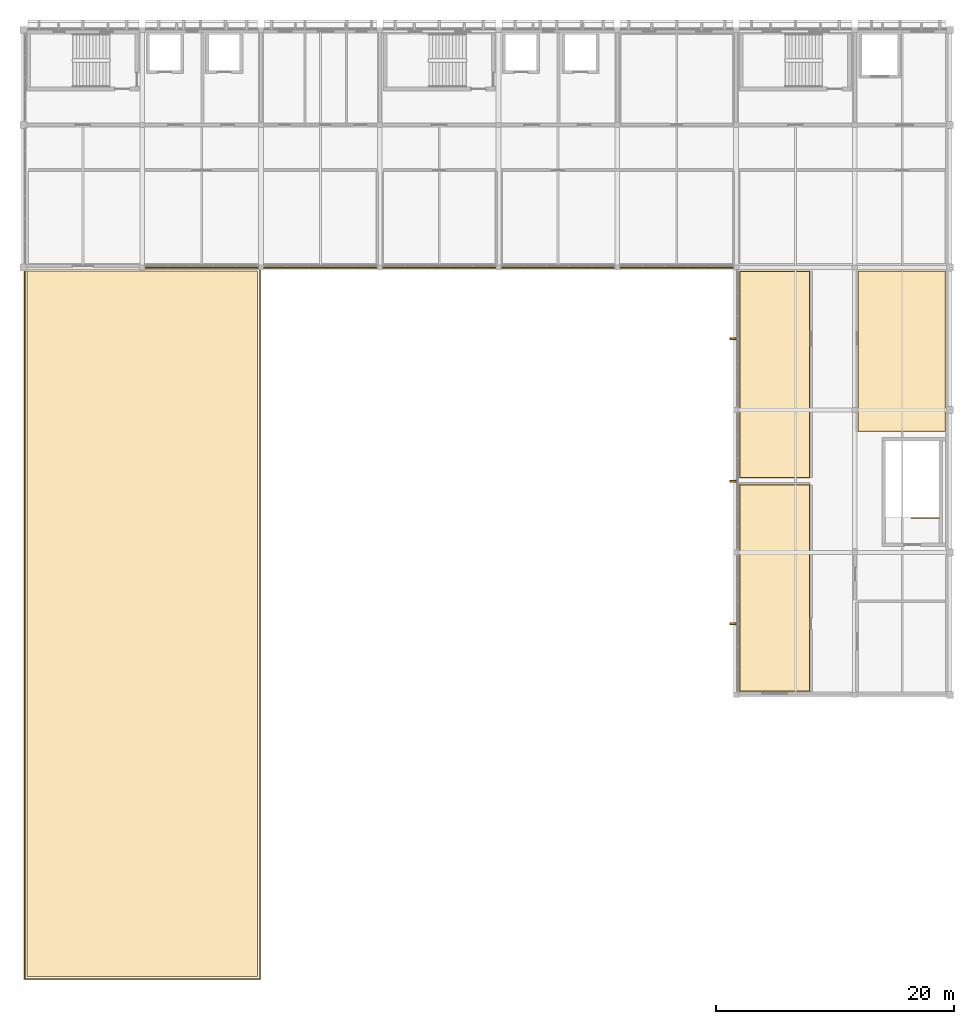
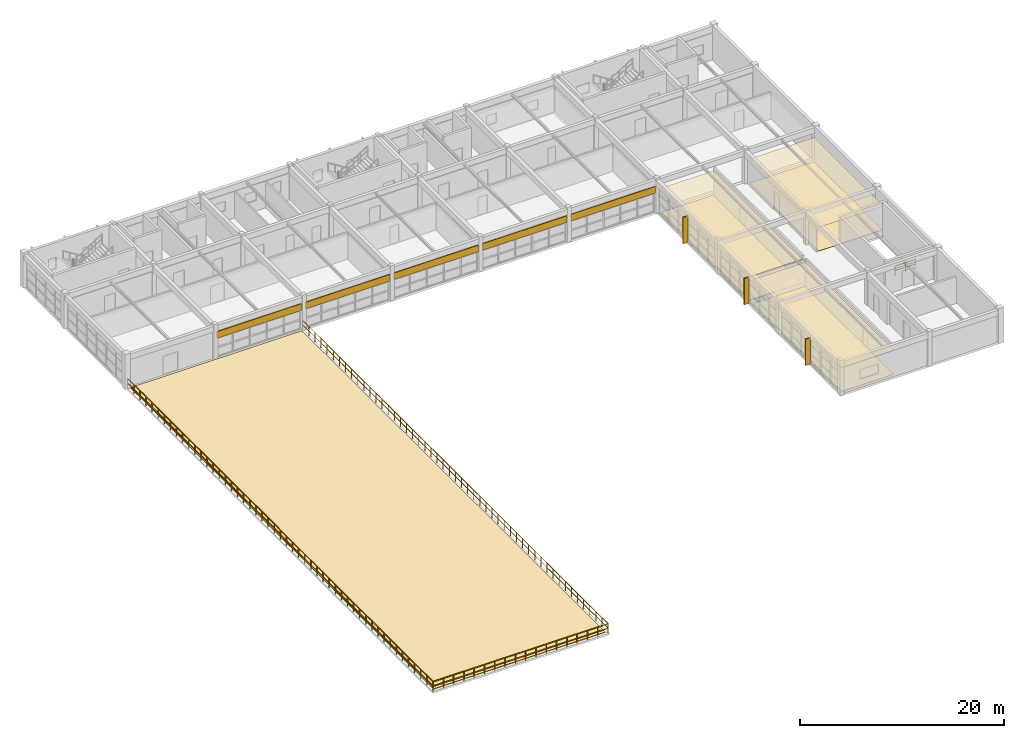
# One storey, part 18 of 21: 12 coverings, 4 railings, 3 shading devices.
"""IFC4 building model written with IfcOpenShell, lengths in metres."""

from ifc_helpers import new_model, si_unit, direction, frame, frame_2d, origin, origin_2d, place, context, subcontext, project, spatial, polyline, rectangle, circle, outline, extrude, material, layer, layer_set, type_object, element, save


model = new_model("IFC4")

# Units and contexts
model_context = context("Model", 3, precision=1e-05, world=origin(), true_north=direction((0.0, 1.0)))
body_context = subcontext(model_context, "Body", "Model", "MODEL_VIEW")
ifc_project = project(units=[si_unit("LENGTHUNIT", "METRE"), si_unit("AREAUNIT", "SQUARE_METRE"), si_unit("VOLUMEUNIT", "CUBIC_METRE"), si_unit("PLANEANGLEUNIT", "RADIAN"), si_unit("MASSUNIT", "GRAM", prefix="KILO")], contexts=[model_context])

# Site, building, storey
site_placement = place(None, origin())
site = spatial("IfcSite", under=ifc_project, at=site_placement, CompositionType="ELEMENT")
building_placement = place(site_placement, origin())
building = spatial("IfcBuilding", under=site, at=building_placement, Name="Kivolera Central Railway Station", CompositionType="ELEMENT")
storey_placement = place(building_placement, frame((0.0, 0.0, 22.800048828125)))
storey = spatial("IfcBuildingStorey", under=building, at=storey_placement, Name="L05", CompositionType="ELEMENT", Elevation=22.800048828125)

# Shading devices
ifc_material_1 = material(Name="Precast concrete C40/50", Category="concrete")
shading_device_type = type_object("IfcShadingDeviceType", Name="BS-FIN-CRT", PredefinedType="USERDEFINED", material=ifc_material_1)
for number, where, z_axis, x_axis, name in (
    (1, (177.735107421875, 84.0, 0.0), (0.0, 0.0, 1.0), (1.0, 0.0, 0.0), "L05 Courtyard East Solar Brise-Soleil Fin G"),
    (2, (177.735107421875, 96.0, 0.0), (0.0, 0.0, 1.0), (1.0, 0.0, 0.0), "L05 Courtyard East Solar Brise-Soleil Fin H"),
    (3, (177.735107421875, 108.0, 0.0), (0.0, 0.0, 1.0), (1.0, 0.0, 0.0), "L05 Courtyard East Solar Brise-Soleil Fin J"),
):
    element("IfcShadingDevice", number, at=place(storey_placement, frame(where, z_axis=z_axis, x_axis=x_axis)), inside=storey, type_object=shading_device_type, Name=name, ObjectType="FIN", PredefinedType="USERDEFINED", context=body_context, shape_type="SweptSolid", body=[
        extrude(rectangle(XDim=0.550048828125, YDim=0.139892578125, at=origin_2d()), origin(), (0.0, 0.0, 1.0), 3.14990234375),
    ])

# Coverings
ifc_material_2 = material(Name="Mineral fibre acoustic tile")
ifc_layer_1 = layer(ifc_material_2, 0.02001953125, Name="Mineral fibre acoustic tile")
ifc_layer_set_1 = layer_set([ifc_layer_1], Name="Mineral fibre acoustic tile")
covering_type_1 = type_object("IfcCoveringType", Name="COV-CEIL-20", PredefinedType="CEILING", material=ifc_layer_set_1)
covering_1_placement = place(storey_placement, frame((0.0, 0.0, 2.849853515625)))
element("IfcCovering", 4, at=covering_1_placement, inside=storey, type_object=covering_type_1, Name="L05 Staff Wellness Studio Acoustic Ceiling", PredefinedType="CEILING", context=body_context, shape_type="SweptSolid", body=[
    extrude(outline(polyline([(178.280029296875, 78.280029296875), (184.219970703125, 78.280029296875), (184.219970703125, 95.719970703125), (178.280029296875, 95.719970703125), (178.280029296875, 78.280029296875)])), origin(), (0.0, 0.0, 1.0), 0.02001953125),
])
ifc_material_3 = material(Name="Hardwood mvule timber", Category="wood")
ifc_layer_2 = layer(ifc_material_3, 0.02490234375, Name="Hardwood mvule timber")
ifc_layer_set_2 = layer_set([ifc_layer_2], Name="Hardwood mvule timber")
covering_type_2 = type_object("IfcCoveringType", Name="COV-CEIL-25", PredefinedType="CEILING", material=ifc_layer_set_2)
covering_2_placement = place(storey_placement, frame((0.0, 0.0, 2.849853515625)))
element("IfcCovering", 5, at=covering_2_placement, inside=storey, type_object=covering_type_2, Name="L05 Train Crew Locker and Changing Suite Acoustic Ceiling", PredefinedType="CEILING", context=body_context, shape_type="SweptSolid", body=[
    extrude(outline(polyline([(188.280029296875, 100.179931640625), (195.6201171875, 100.179931640625), (195.6201171875, 113.719970703125), (188.280029296875, 113.719970703125), (188.280029296875, 100.179931640625)])), origin(), (0.0, 0.0, 1.0), 0.025146484375),
])
ifc_layer_3 = layer(ifc_material_2, 0.030029296875, Name="Mineral fibre acoustic tile")
ifc_layer_set_3 = layer_set([ifc_layer_3], Name="Mineral fibre acoustic tile")
covering_type_3 = type_object("IfcCoveringType", Name="COV-CEIL-30", PredefinedType="CEILING", material=ifc_layer_set_3)
covering_3_placement = place(storey_placement, frame((0.0, 0.0, 2.849853515625)))
element("IfcCovering", 6, at=covering_3_placement, inside=storey, type_object=covering_type_3, Name="L05 Drivers' Quiet Rest Lounge Acoustic Ceiling", PredefinedType="CEILING", context=body_context, shape_type="SweptSolid", body=[
    extrude(outline(polyline([(178.280029296875, 96.280029296875), (184.219970703125, 96.280029296875), (184.219970703125, 113.719970703125), (178.280029296875, 113.719970703125), (178.280029296875, 96.280029296875)])), origin(), (0.0, 0.0, 1.0), 0.030029296875),
])
ifc_layer_4 = layer(ifc_material_1, 0.090087890625, Name="Precast concrete C40/50")
ifc_layer_set_4 = layer_set([ifc_layer_4], Name="Precast concrete C40/50")
covering_type_4 = type_object("IfcCoveringType", Name="COV-CLAUSTRA-90", PredefinedType="CLADDING", material=ifc_layer_set_4)
for number, where, z_axis, x_axis, name in (
    (7, (137.780029296875, 113.9599609375, 2.337890625), (0.0, 0.0, 1.0), (-1.0, 0.0, 0.0), "L05 Monsoon Court Precast Claustra Screen 128"),
    (8, (147.780029296875, 113.9599609375, 2.337890625), (0.0, 0.0, 1.0), (-1.0, 0.0, 0.0), "L05 Monsoon Court Precast Claustra Screen 138"),
    (9, (157.780029296875, 113.9599609375, 2.337890625), (0.0, 0.0, 1.0), (-1.0, 0.0, 0.0), "L05 Monsoon Court Precast Claustra Screen 148"),
    (10, (167.780029296875, 113.9599609375, 2.337890625), (0.0, 0.0, 1.0), (-1.0, 0.0, 0.0), "L05 Monsoon Court Precast Claustra Screen 158"),
    (11, (177.780029296875, 113.9599609375, 2.337890625), (0.0, 0.0, 1.0), (-1.0, 0.0, 0.0), "L05 Monsoon Court Precast Claustra Screen 168"),
):
    element("IfcCovering", number, at=place(storey_placement, frame(where, z_axis=z_axis, x_axis=x_axis)), inside=storey, type_object=covering_type_4, Name=name, PredefinedType="CLADDING", context=body_context, shape_type="SweptSolid", body=[
        extrude(rectangle(XDim=9.56005859375, YDim=0.090087890625, at=frame_2d((4.780029296875, 0.0))), origin(), (0.0, 0.0, 1.0), 0.800048828125),
    ])
ifc_material_4 = material(Name="Terracotta clay tile", Category="masonry")
ifc_layer_5 = layer(ifc_material_4, 0.02197265625, Name="Terracotta clay tile")
ifc_layer_set_5 = layer_set([ifc_layer_5], Name="Terracotta clay tile")
covering_type_5 = type_object("IfcCoveringType", Name="COV-FLR-22", PredefinedType="FLOORING", material=ifc_layer_set_5)
covering_4_placement = place(storey_placement, origin())
element("IfcCovering", 12, at=covering_4_placement, inside=storey, type_object=covering_type_5, Name="L05 Drivers' Quiet Rest Lounge Floor Finish", PredefinedType="FLOORING", context=body_context, shape_type="SweptSolid", body=[
    extrude(outline(polyline([(178.320068359375, 96.320068359375), (184.179931640625, 96.320068359375), (184.179931640625, 113.679931640625), (178.320068359375, 113.679931640625), (178.320068359375, 96.320068359375)])), origin(), (0.0, 0.0, 1.0), 0.02197265625),
])
covering_5_placement = place(storey_placement, origin())
element("IfcCovering", 13, at=covering_5_placement, inside=storey, type_object=covering_type_5, Name="L05 Staff Wellness Studio Floor Finish", PredefinedType="FLOORING", context=body_context, shape_type="SweptSolid", body=[
    extrude(outline(polyline([(178.320068359375, 78.320068359375), (184.179931640625, 78.320068359375), (184.179931640625, 95.679931640625), (178.320068359375, 95.679931640625), (178.320068359375, 78.320068359375)])), origin(), (0.0, 0.0, 1.0), 0.02197265625),
])
covering_6_placement = place(storey_placement, origin())
element("IfcCovering", 14, at=covering_6_placement, inside=storey, type_object=covering_type_5, Name="L05 Train Crew Locker and Changing Suite Floor Finish", PredefinedType="FLOORING", context=body_context, shape_type="SweptSolid", body=[
    extrude(outline(polyline([(188.320068359375, 100.219970703125), (195.580078125, 100.219970703125), (195.580078125, 113.679931640625), (188.320068359375, 113.679931640625), (188.320068359375, 100.219970703125)])), origin(), (0.0, 0.0, 1.0), 0.02197265625),
])
ifc_layer_6 = layer(ifc_material_4, 0.06494140625, Name="Terracotta clay tile")
ifc_layer_set_6 = layer_set([ifc_layer_6], Name="Terracotta clay tile")
covering_type_6 = type_object("IfcCoveringType", Name="COV-ROOF-TERR-65", PredefinedType="ROOFING", material=ifc_layer_set_6)
covering_7_placement = place(storey_placement, origin())
element("IfcCovering", 15, at=covering_7_placement, inside=storey, type_object=covering_type_6, Name="L05 Monsoon Roof Surfacing COV-L05-TER", PredefinedType="ROOFING", context=body_context, shape_type="SweptSolid", body=[
    extrude(outline(polyline([(118.300048828125, 54.300048828125), (137.699951171875, 54.300048828125), (137.699951171875, 113.699951171875), (118.300048828125, 113.699951171875), (118.300048828125, 54.300048828125)])), origin(), (0.0, 0.0, 1.0), 0.06494140625),
])

# Railings
ifc_material_5 = material(Name="Anodised aluminium", Category="aluminium")
ifc_layer_7 = layer(ifc_material_5, 0.048095703125, Name="Anodised aluminium")
ifc_layer_set_7 = layer_set([ifc_layer_7], Name="Anodised aluminium")
railing_type_1 = type_object("IfcRailingType", Name="RL-EXT-GUARD-1130", PredefinedType="GUARDRAIL", material=ifc_layer_set_7)
railing_1_placement = place(storey_placement, frame((118.10009765625, 54.10009765625, 0.0)))
element("IfcRailing", 16, at=railing_1_placement, inside=storey, type_object=railing_type_1, Name="L05 Protective Edge Guardrail TER-W-W", PredefinedType="GUARDRAIL", context=body_context, shape_type="SweptSolid", body=[
    extrude(circle(Radius=0.02392578125, at=origin_2d()), frame((0.0, 0.0, 1.10595703125), z_axis=(0.0, 1.0, 0.0), x_axis=(-1.0, 0.0, 0.0)), (0.0, 0.0, 1.0), 59.7998046875),
    extrude(circle(Radius=0.02392578125, at=origin_2d()), frame((0.0, 0.0, 0.56494140625), z_axis=(0.0, 1.0, 0.0), x_axis=(-1.0, 0.0, 0.0)), (0.0, 0.0, 1.0), 59.7998046875),
    extrude(circle(Radius=0.02099609375, at=origin_2d()), origin(), (0.0, 0.0, 1.0), 1.081787109375),
    extrude(circle(Radius=0.02099609375, at=origin_2d()), frame((0.0, 1.196044921875, 0.0)), (0.0, 0.0, 1.0), 1.081787109375),
    extrude(circle(Radius=0.02099609375, at=origin_2d()), frame((0.0, 2.39208984375, 0.0)), (0.0, 0.0, 1.0), 1.081787109375),
    extrude(circle(Radius=0.02099609375, at=origin_2d()), frame((0.0, 3.587890625, 0.0)), (0.0, 0.0, 1.0), 1.081787109375),
    extrude(circle(Radius=0.02099609375, at=origin_2d()), frame((0.0, 4.783935546875, 0.0)), (0.0, 0.0, 1.0), 1.081787109375),
    extrude(circle(Radius=0.02099609375, at=origin_2d()), frame((0.0, 5.97998046875, 0.0)), (0.0, 0.0, 1.0), 1.081787109375),
    extrude(circle(Radius=0.02099609375, at=origin_2d()), frame((0.0, 7.176025390625, 0.0)), (0.0, 0.0, 1.0), 1.081787109375),
    extrude(circle(Radius=0.02099609375, at=origin_2d()), frame((0.0, 8.3720703125, 0.0)), (0.0, 0.0, 1.0), 1.081787109375),
    extrude(circle(Radius=0.02099609375, at=origin_2d()), frame((0.0, 9.56787109375, 0.0)), (0.0, 0.0, 1.0), 1.081787109375),
    extrude(circle(Radius=0.02099609375, at=origin_2d()), frame((0.0, 10.763916015625, 0.0)), (0.0, 0.0, 1.0), 1.081787109375),
    extrude(circle(Radius=0.02099609375, at=origin_2d()), frame((0.0, 11.9599609375, 0.0)), (0.0, 0.0, 1.0), 1.081787109375),
    extrude(circle(Radius=0.02099609375, at=origin_2d()), frame((0.0, 13.156005859375, 0.0)), (0.0, 0.0, 1.0), 1.081787109375),
    extrude(circle(Radius=0.02099609375, at=origin_2d()), frame((0.0, 14.35205078125, 0.0)), (0.0, 0.0, 1.0), 1.081787109375),
    extrude(circle(Radius=0.02099609375, at=origin_2d()), frame((0.0, 15.5478515625, 0.0)), (0.0, 0.0, 1.0), 1.081787109375),
    extrude(circle(Radius=0.02099609375, at=origin_2d()), frame((0.0, 16.743896484375, 0.0)), (0.0, 0.0, 1.0), 1.081787109375),
    extrude(circle(Radius=0.02099609375, at=origin_2d()), frame((0.0, 17.93994140625, 0.0)), (0.0, 0.0, 1.0), 1.081787109375),
    extrude(circle(Radius=0.02099609375, at=origin_2d()), frame((0.0, 19.135986328125, 0.0)), (0.0, 0.0, 1.0), 1.081787109375),
    extrude(circle(Radius=0.02099609375, at=origin_2d()), frame((0.0, 20.33203125, 0.0)), (0.0, 0.0, 1.0), 1.081787109375),
    extrude(circle(Radius=0.02099609375, at=origin_2d()), frame((0.0, 21.52783203125, 0.0)), (0.0, 0.0, 1.0), 1.081787109375),
    extrude(circle(Radius=0.02099609375, at=origin_2d()), frame((0.0, 22.723876953125, 0.0)), (0.0, 0.0, 1.0), 1.081787109375),
    extrude(circle(Radius=0.02099609375, at=origin_2d()), frame((0.0, 23.919921875, 0.0)), (0.0, 0.0, 1.0), 1.081787109375),
    extrude(circle(Radius=0.02099609375, at=origin_2d()), frame((0.0, 25.115966796875, 0.0)), (0.0, 0.0, 1.0), 1.081787109375),
    extrude(circle(Radius=0.02099609375, at=origin_2d()), frame((0.0, 26.31201171875, 0.0)), (0.0, 0.0, 1.0), 1.081787109375),
    extrude(circle(Radius=0.02099609375, at=origin_2d()), frame((0.0, 27.5078125, 0.0)), (0.0, 0.0, 1.0), 1.081787109375),
    extrude(circle(Radius=0.02099609375, at=origin_2d()), frame((0.0, 28.703857421875, 0.0)), (0.0, 0.0, 1.0), 1.081787109375),
    extrude(circle(Radius=0.02099609375, at=origin_2d()), frame((0.0, 29.89990234375, 0.0)), (0.0, 0.0, 1.0), 1.081787109375),
    extrude(circle(Radius=0.02099609375, at=origin_2d()), frame((0.0, 31.095947265625, 0.0)), (0.0, 0.0, 1.0), 1.081787109375),
    extrude(circle(Radius=0.02099609375, at=origin_2d()), frame((0.0, 32.2919921875, 0.0)), (0.0, 0.0, 1.0), 1.081787109375),
    extrude(circle(Radius=0.02099609375, at=origin_2d()), frame((0.0, 33.48779296875, 0.0)), (0.0, 0.0, 1.0), 1.081787109375),
    extrude(circle(Radius=0.02099609375, at=origin_2d()), frame((0.0, 34.683837890625, 0.0)), (0.0, 0.0, 1.0), 1.081787109375),
    extrude(circle(Radius=0.02099609375, at=origin_2d()), frame((0.0, 35.8798828125, 0.0)), (0.0, 0.0, 1.0), 1.081787109375),
    extrude(circle(Radius=0.02099609375, at=origin_2d()), frame((0.0, 37.075927734375, 0.0)), (0.0, 0.0, 1.0), 1.081787109375),
    extrude(circle(Radius=0.02099609375, at=origin_2d()), frame((0.0, 38.27197265625, 0.0)), (0.0, 0.0, 1.0), 1.081787109375),
    extrude(circle(Radius=0.02099609375, at=origin_2d()), frame((0.0, 39.4677734375, 0.0)), (0.0, 0.0, 1.0), 1.081787109375),
    extrude(circle(Radius=0.02099609375, at=origin_2d()), frame((0.0, 40.663818359375, 0.0)), (0.0, 0.0, 1.0), 1.081787109375),
    extrude(circle(Radius=0.02099609375, at=origin_2d()), frame((0.0, 41.85986328125, 0.0)), (0.0, 0.0, 1.0), 1.081787109375),
    extrude(circle(Radius=0.02099609375, at=origin_2d()), frame((0.0, 43.055908203125, 0.0)), (0.0, 0.0, 1.0), 1.081787109375),
    extrude(circle(Radius=0.02099609375, at=origin_2d()), frame((0.0, 44.251953125, 0.0)), (0.0, 0.0, 1.0), 1.081787109375),
    extrude(circle(Radius=0.02099609375, at=origin_2d()), frame((0.0, 45.44775390625, 0.0)), (0.0, 0.0, 1.0), 1.081787109375),
    extrude(circle(Radius=0.02099609375, at=origin_2d()), frame((0.0, 46.643798828125, 0.0)), (0.0, 0.0, 1.0), 1.081787109375),
    extrude(circle(Radius=0.02099609375, at=origin_2d()), frame((0.0, 47.83984375, 0.0)), (0.0, 0.0, 1.0), 1.081787109375),
    extrude(circle(Radius=0.02099609375, at=origin_2d()), frame((0.0, 49.035888671875, 0.0)), (0.0, 0.0, 1.0), 1.081787109375),
    extrude(circle(Radius=0.02099609375, at=origin_2d()), frame((0.0, 50.23193359375, 0.0)), (0.0, 0.0, 1.0), 1.081787109375),
    extrude(circle(Radius=0.02099609375, at=origin_2d()), frame((0.0, 51.427734375, 0.0)), (0.0, 0.0, 1.0), 1.081787109375),
    extrude(circle(Radius=0.02099609375, at=origin_2d()), frame((0.0, 52.623779296875, 0.0)), (0.0, 0.0, 1.0), 1.081787109375),
    extrude(circle(Radius=0.02099609375, at=origin_2d()), frame((0.0, 53.81982421875, 0.0)), (0.0, 0.0, 1.0), 1.081787109375),
    extrude(circle(Radius=0.02099609375, at=origin_2d()), frame((0.0, 55.015869140625, 0.0)), (0.0, 0.0, 1.0), 1.081787109375),
    extrude(circle(Radius=0.02099609375, at=origin_2d()), frame((0.0, 56.2119140625, 0.0)), (0.0, 0.0, 1.0), 1.081787109375),
    extrude(circle(Radius=0.02099609375, at=origin_2d()), frame((0.0, 57.40771484375, 0.0)), (0.0, 0.0, 1.0), 1.081787109375),
    extrude(circle(Radius=0.02099609375, at=origin_2d()), frame((0.0, 58.603759765625, 0.0)), (0.0, 0.0, 1.0), 1.081787109375),
    extrude(circle(Radius=0.02099609375, at=origin_2d()), frame((0.0, 59.7998046875, 0.0)), (0.0, 0.0, 1.0), 1.081787109375),
])
railing_2_placement = place(storey_placement, frame((118.10009765625, 54.10009765625, 0.0)))
element("IfcRailing", 17, at=railing_2_placement, inside=storey, type_object=railing_type_1, Name="L05 Protective Edge Guardrail TER-W-S", PredefinedType="GUARDRAIL", context=body_context, shape_type="SweptSolid", body=[
    extrude(circle(Radius=0.02392578125, at=origin_2d()), frame((0.0, 0.0, 1.10595703125), z_axis=(1.0, 0.0, 0.0), x_axis=(0.0, 1.0, 0.0)), (0.0, 0.0, 1.0), 19.7998046875),
    extrude(circle(Radius=0.02392578125, at=origin_2d()), frame((0.0, 0.0, 0.56494140625), z_axis=(1.0, 0.0, 0.0), x_axis=(0.0, 1.0, 0.0)), (0.0, 0.0, 1.0), 19.7998046875),
    extrude(circle(Radius=0.02099609375, at=origin_2d()), origin(), (0.0, 0.0, 1.0), 1.081787109375),
    extrude(circle(Radius=0.02099609375, at=origin_2d()), frame((1.164794921875, 0.0, 0.0)), (0.0, 0.0, 1.0), 1.081787109375),
    extrude(circle(Radius=0.02099609375, at=origin_2d()), frame((2.329345703125, 0.0, 0.0)), (0.0, 0.0, 1.0), 1.081787109375),
    extrude(circle(Radius=0.02099609375, at=origin_2d()), frame((3.494140625, 0.0, 0.0)), (0.0, 0.0, 1.0), 1.081787109375),
    extrude(circle(Radius=0.02099609375, at=origin_2d()), frame((4.65869140625, 0.0, 0.0)), (0.0, 0.0, 1.0), 1.081787109375),
    extrude(circle(Radius=0.02099609375, at=origin_2d()), frame((5.823486328125, 0.0, 0.0)), (0.0, 0.0, 1.0), 1.081787109375),
    extrude(circle(Radius=0.02099609375, at=origin_2d()), frame((6.98828125, 0.0, 0.0)), (0.0, 0.0, 1.0), 1.081787109375),
    extrude(circle(Radius=0.02099609375, at=origin_2d()), frame((8.15283203125, 0.0, 0.0)), (0.0, 0.0, 1.0), 1.081787109375),
    extrude(circle(Radius=0.02099609375, at=origin_2d()), frame((9.317626953125, 0.0, 0.0)), (0.0, 0.0, 1.0), 1.081787109375),
    extrude(circle(Radius=0.02099609375, at=origin_2d()), frame((10.482177734375, 0.0, 0.0)), (0.0, 0.0, 1.0), 1.081787109375),
    extrude(circle(Radius=0.02099609375, at=origin_2d()), frame((11.64697265625, 0.0, 0.0)), (0.0, 0.0, 1.0), 1.081787109375),
    extrude(circle(Radius=0.02099609375, at=origin_2d()), frame((12.8115234375, 0.0, 0.0)), (0.0, 0.0, 1.0), 1.081787109375),
    extrude(circle(Radius=0.02099609375, at=origin_2d()), frame((13.976318359375, 0.0, 0.0)), (0.0, 0.0, 1.0), 1.081787109375),
    extrude(circle(Radius=0.02099609375, at=origin_2d()), frame((15.14111328125, 0.0, 0.0)), (0.0, 0.0, 1.0), 1.081787109375),
    extrude(circle(Radius=0.02099609375, at=origin_2d()), frame((16.3056640625, 0.0, 0.0)), (0.0, 0.0, 1.0), 1.081787109375),
    extrude(circle(Radius=0.02099609375, at=origin_2d()), frame((17.470458984375, 0.0, 0.0)), (0.0, 0.0, 1.0), 1.081787109375),
    extrude(circle(Radius=0.02099609375, at=origin_2d()), frame((18.635009765625, 0.0, 0.0)), (0.0, 0.0, 1.0), 1.081787109375),
    extrude(circle(Radius=0.02099609375, at=origin_2d()), frame((19.7998046875, 0.0, 0.0)), (0.0, 0.0, 1.0), 1.081787109375),
])
railing_3_placement = place(storey_placement, frame((137.89990234375, 54.10009765625, 0.0)))
element("IfcRailing", 18, at=railing_3_placement, inside=storey, type_object=railing_type_1, Name="L05 Protective Edge Guardrail TER-W-E", PredefinedType="GUARDRAIL", context=body_context, shape_type="SweptSolid", body=[
    extrude(circle(Radius=0.02392578125, at=origin_2d()), frame((0.0, 0.0, 1.10595703125), z_axis=(0.0, 1.0, 0.0), x_axis=(-1.0, 0.0, 0.0)), (0.0, 0.0, 1.0), 59.7998046875),
    extrude(circle(Radius=0.02392578125, at=origin_2d()), frame((0.0, 0.0, 0.56494140625), z_axis=(0.0, 1.0, 0.0), x_axis=(-1.0, 0.0, 0.0)), (0.0, 0.0, 1.0), 59.7998046875),
    extrude(circle(Radius=0.02099609375, at=origin_2d()), origin(), (0.0, 0.0, 1.0), 1.081787109375),
    extrude(circle(Radius=0.02099609375, at=origin_2d()), frame((0.0, 1.196044921875, 0.0)), (0.0, 0.0, 1.0), 1.081787109375),
    extrude(circle(Radius=0.02099609375, at=origin_2d()), frame((0.0, 2.39208984375, 0.0)), (0.0, 0.0, 1.0), 1.081787109375),
    extrude(circle(Radius=0.02099609375, at=origin_2d()), frame((0.0, 3.587890625, 0.0)), (0.0, 0.0, 1.0), 1.081787109375),
    extrude(circle(Radius=0.02099609375, at=origin_2d()), frame((0.0, 4.783935546875, 0.0)), (0.0, 0.0, 1.0), 1.081787109375),
    extrude(circle(Radius=0.02099609375, at=origin_2d()), frame((0.0, 5.97998046875, 0.0)), (0.0, 0.0, 1.0), 1.081787109375),
    extrude(circle(Radius=0.02099609375, at=origin_2d()), frame((0.0, 7.176025390625, 0.0)), (0.0, 0.0, 1.0), 1.081787109375),
    extrude(circle(Radius=0.02099609375, at=origin_2d()), frame((0.0, 8.3720703125, 0.0)), (0.0, 0.0, 1.0), 1.081787109375),
    extrude(circle(Radius=0.02099609375, at=origin_2d()), frame((0.0, 9.56787109375, 0.0)), (0.0, 0.0, 1.0), 1.081787109375),
    extrude(circle(Radius=0.02099609375, at=origin_2d()), frame((0.0, 10.763916015625, 0.0)), (0.0, 0.0, 1.0), 1.081787109375),
    extrude(circle(Radius=0.02099609375, at=origin_2d()), frame((0.0, 11.9599609375, 0.0)), (0.0, 0.0, 1.0), 1.081787109375),
    extrude(circle(Radius=0.02099609375, at=origin_2d()), frame((0.0, 13.156005859375, 0.0)), (0.0, 0.0, 1.0), 1.081787109375),
    extrude(circle(Radius=0.02099609375, at=origin_2d()), frame((0.0, 14.35205078125, 0.0)), (0.0, 0.0, 1.0), 1.081787109375),
    extrude(circle(Radius=0.02099609375, at=origin_2d()), frame((0.0, 15.5478515625, 0.0)), (0.0, 0.0, 1.0), 1.081787109375),
    extrude(circle(Radius=0.02099609375, at=origin_2d()), frame((0.0, 16.743896484375, 0.0)), (0.0, 0.0, 1.0), 1.081787109375),
    extrude(circle(Radius=0.02099609375, at=origin_2d()), frame((0.0, 17.93994140625, 0.0)), (0.0, 0.0, 1.0), 1.081787109375),
    extrude(circle(Radius=0.02099609375, at=origin_2d()), frame((0.0, 19.135986328125, 0.0)), (0.0, 0.0, 1.0), 1.081787109375),
    extrude(circle(Radius=0.02099609375, at=origin_2d()), frame((0.0, 20.33203125, 0.0)), (0.0, 0.0, 1.0), 1.081787109375),
    extrude(circle(Radius=0.02099609375, at=origin_2d()), frame((0.0, 21.52783203125, 0.0)), (0.0, 0.0, 1.0), 1.081787109375),
    extrude(circle(Radius=0.02099609375, at=origin_2d()), frame((0.0, 22.723876953125, 0.0)), (0.0, 0.0, 1.0), 1.081787109375),
    extrude(circle(Radius=0.02099609375, at=origin_2d()), frame((0.0, 23.919921875, 0.0)), (0.0, 0.0, 1.0), 1.081787109375),
    extrude(circle(Radius=0.02099609375, at=origin_2d()), frame((0.0, 25.115966796875, 0.0)), (0.0, 0.0, 1.0), 1.081787109375),
    extrude(circle(Radius=0.02099609375, at=origin_2d()), frame((0.0, 26.31201171875, 0.0)), (0.0, 0.0, 1.0), 1.081787109375),
    extrude(circle(Radius=0.02099609375, at=origin_2d()), frame((0.0, 27.5078125, 0.0)), (0.0, 0.0, 1.0), 1.081787109375),
    extrude(circle(Radius=0.02099609375, at=origin_2d()), frame((0.0, 28.703857421875, 0.0)), (0.0, 0.0, 1.0), 1.081787109375),
    extrude(circle(Radius=0.02099609375, at=origin_2d()), frame((0.0, 29.89990234375, 0.0)), (0.0, 0.0, 1.0), 1.081787109375),
    extrude(circle(Radius=0.02099609375, at=origin_2d()), frame((0.0, 31.095947265625, 0.0)), (0.0, 0.0, 1.0), 1.081787109375),
    extrude(circle(Radius=0.02099609375, at=origin_2d()), frame((0.0, 32.2919921875, 0.0)), (0.0, 0.0, 1.0), 1.081787109375),
    extrude(circle(Radius=0.02099609375, at=origin_2d()), frame((0.0, 33.48779296875, 0.0)), (0.0, 0.0, 1.0), 1.081787109375),
    extrude(circle(Radius=0.02099609375, at=origin_2d()), frame((0.0, 34.683837890625, 0.0)), (0.0, 0.0, 1.0), 1.081787109375),
    extrude(circle(Radius=0.02099609375, at=origin_2d()), frame((0.0, 35.8798828125, 0.0)), (0.0, 0.0, 1.0), 1.081787109375),
    extrude(circle(Radius=0.02099609375, at=origin_2d()), frame((0.0, 37.075927734375, 0.0)), (0.0, 0.0, 1.0), 1.081787109375),
    extrude(circle(Radius=0.02099609375, at=origin_2d()), frame((0.0, 38.27197265625, 0.0)), (0.0, 0.0, 1.0), 1.081787109375),
    extrude(circle(Radius=0.02099609375, at=origin_2d()), frame((0.0, 39.4677734375, 0.0)), (0.0, 0.0, 1.0), 1.081787109375),
    extrude(circle(Radius=0.02099609375, at=origin_2d()), frame((0.0, 40.663818359375, 0.0)), (0.0, 0.0, 1.0), 1.081787109375),
    extrude(circle(Radius=0.02099609375, at=origin_2d()), frame((0.0, 41.85986328125, 0.0)), (0.0, 0.0, 1.0), 1.081787109375),
    extrude(circle(Radius=0.02099609375, at=origin_2d()), frame((0.0, 43.055908203125, 0.0)), (0.0, 0.0, 1.0), 1.081787109375),
    extrude(circle(Radius=0.02099609375, at=origin_2d()), frame((0.0, 44.251953125, 0.0)), (0.0, 0.0, 1.0), 1.081787109375),
    extrude(circle(Radius=0.02099609375, at=origin_2d()), frame((0.0, 45.44775390625, 0.0)), (0.0, 0.0, 1.0), 1.081787109375),
    extrude(circle(Radius=0.02099609375, at=origin_2d()), frame((0.0, 46.643798828125, 0.0)), (0.0, 0.0, 1.0), 1.081787109375),
    extrude(circle(Radius=0.02099609375, at=origin_2d()), frame((0.0, 47.83984375, 0.0)), (0.0, 0.0, 1.0), 1.081787109375),
    extrude(circle(Radius=0.02099609375, at=origin_2d()), frame((0.0, 49.035888671875, 0.0)), (0.0, 0.0, 1.0), 1.081787109375),
    extrude(circle(Radius=0.02099609375, at=origin_2d()), frame((0.0, 50.23193359375, 0.0)), (0.0, 0.0, 1.0), 1.081787109375),
    extrude(circle(Radius=0.02099609375, at=origin_2d()), frame((0.0, 51.427734375, 0.0)), (0.0, 0.0, 1.0), 1.081787109375),
    extrude(circle(Radius=0.02099609375, at=origin_2d()), frame((0.0, 52.623779296875, 0.0)), (0.0, 0.0, 1.0), 1.081787109375),
    extrude(circle(Radius=0.02099609375, at=origin_2d()), frame((0.0, 53.81982421875, 0.0)), (0.0, 0.0, 1.0), 1.081787109375),
    extrude(circle(Radius=0.02099609375, at=origin_2d()), frame((0.0, 55.015869140625, 0.0)), (0.0, 0.0, 1.0), 1.081787109375),
    extrude(circle(Radius=0.02099609375, at=origin_2d()), frame((0.0, 56.2119140625, 0.0)), (0.0, 0.0, 1.0), 1.081787109375),
    extrude(circle(Radius=0.02099609375, at=origin_2d()), frame((0.0, 57.40771484375, 0.0)), (0.0, 0.0, 1.0), 1.081787109375),
    extrude(circle(Radius=0.02099609375, at=origin_2d()), frame((0.0, 58.603759765625, 0.0)), (0.0, 0.0, 1.0), 1.081787109375),
    extrude(circle(Radius=0.02099609375, at=origin_2d()), frame((0.0, 59.7998046875, 0.0)), (0.0, 0.0, 1.0), 1.081787109375),
])
ifc_layer_8 = layer(ifc_material_5, 0.048095703125, Name="Anodised aluminium")
ifc_layer_set_8 = layer_set([ifc_layer_8], Name="Anodised aluminium")
railing_type_2 = type_object("IfcRailingType", Name="RL-STAIR-GUARD", PredefinedType="GUARDRAIL", material=ifc_layer_set_8)
railing_4_placement = place(storey_placement, frame((195.10009765625, 92.909912109375, 0.0)))
element("IfcRailing", 19, at=railing_4_placement, inside=storey, type_object=railing_type_2, Name="L05 ST11 top well guard 1", PredefinedType="GUARDRAIL", context=body_context, shape_type="SweptSolid", body=[
    extrude(circle(Radius=0.02392578125, at=origin_2d()), frame((0.0, 0.0, 1.10595703125), z_axis=(-1.0, 0.0, 0.0), x_axis=(0.0, -1.0, 0.0)), (0.0, 0.0, 1.0), 2.340087890625),
    extrude(circle(Radius=0.02392578125, at=origin_2d()), frame((0.0, 0.0, 0.56494140625), z_axis=(-1.0, 0.0, 0.0), x_axis=(0.0, -1.0, 0.0)), (0.0, 0.0, 1.0), 2.340087890625),
    extrude(circle(Radius=0.02099609375, at=origin_2d()), origin(), (0.0, 0.0, 1.0), 1.081787109375),
    extrude(circle(Radius=0.02099609375, at=origin_2d()), frame((-1.169921875, 0.0, 0.0)), (0.0, 0.0, 1.0), 1.081787109375),
    extrude(circle(Radius=0.02099609375, at=origin_2d()), frame((-2.340087890625, 0.0, 0.0)), (0.0, 0.0, 1.0), 1.081787109375),
])

save(model, "model.ifc")
